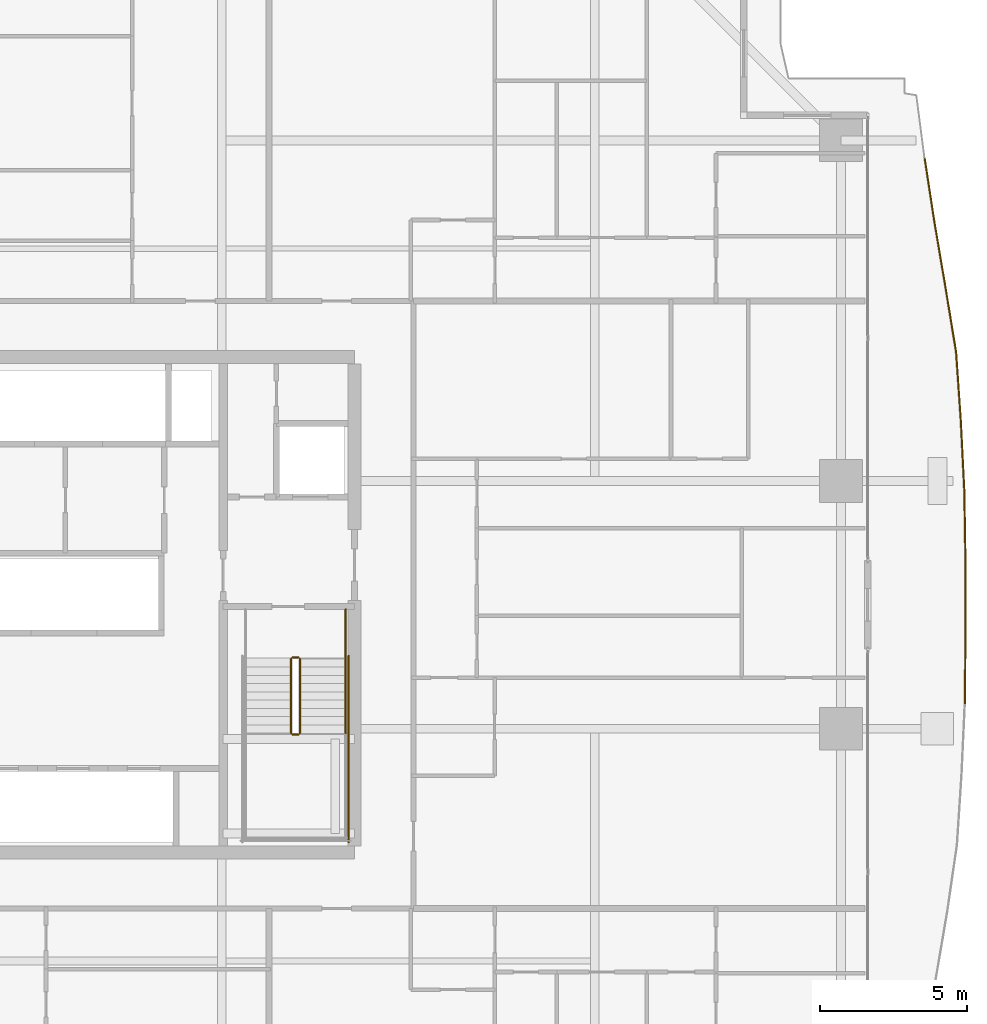
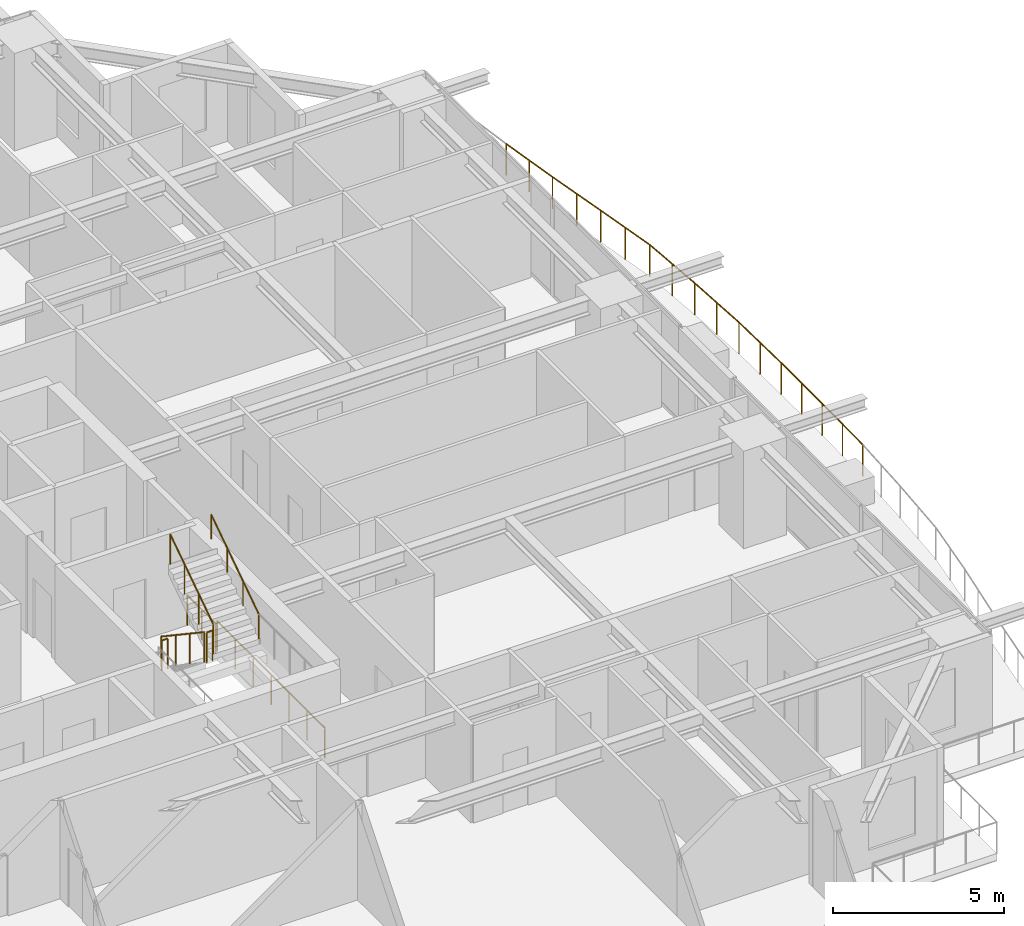
# One storey, part 36 of 37: 8 railings.
"""IFC4 building model written with IfcOpenShell, lengths in metres."""

from ifc_helpers import new_model, si_unit, direction, frame, origin, origin_2d, place, context, subcontext, project, spatial, circle, extrude, material, type_object, element, save


model = new_model("IFC4")

# Units and contexts
model_context = context("Model", 3, precision=1e-05, world=origin(), true_north=direction((0.0, 1.0)))
body_context = subcontext(model_context, "Body", "Model", "MODEL_VIEW")
ifc_project = project(units=[si_unit("LENGTHUNIT", "METRE"), si_unit("AREAUNIT", "SQUARE_METRE"), si_unit("VOLUMEUNIT", "CUBIC_METRE"), si_unit("PLANEANGLEUNIT", "RADIAN"), si_unit("MASSUNIT", "GRAM", prefix="KILO")], contexts=[model_context])

# Site, building, storey
site_placement = place(None, origin())
site = spatial("IfcSite", under=ifc_project, at=site_placement, CompositionType="ELEMENT")
building_placement = place(site_placement, origin())
building = spatial("IfcBuilding", under=site, at=building_placement, Name="Serunith Strait Residences", CompositionType="ELEMENT")
storey_placement = place(building_placement, frame((0.0, 0.0, 34.199951171875)))
storey = spatial("IfcBuildingStorey", under=building, at=storey_placement, Name="L07", CompositionType="ELEMENT", Elevation=34.199951171875)

# Railings
ifc_material_1 = material(Name="Stainless Steel & Laminated Glass Balustrade", Category="steel")
railing_type_1 = type_object("IfcRailingType", Name="RLG-BALC-1150", PredefinedType="BALUSTRADE", material=ifc_material_1)
railing_1_placement = place(storey_placement, frame((60.734375, 40.360107421875, -0.050048828125)))
element("IfcRailing", 1, at=railing_1_placement, inside=storey, type_object=railing_type_1, Name="L07 Swirling Balcony Perimeter Balustrade 5", PredefinedType="BALUSTRADE", context=body_context, shape_type="SweptSolid", body=[
    extrude(circle(Radius=0.02392578125, at=origin_2d()), frame((0.000244140625, -0.001953125, 1.1259765625), z_axis=(0.151129021549, -0.988514045851, 0.0), x_axis=(0.988514045851, 0.151129021549, 0.0)), (0.0, 0.0, 1.0), 2.17041015625),
    extrude(circle(Radius=0.02392578125, at=origin_2d()), frame((0.328857421875, -2.1513671875, 1.1259765625), z_axis=(0.166718403381, -0.986004550686, 0.0), x_axis=(0.986004550686, 0.166718403381, 0.0)), (0.0, 0.0, 1.0), 2.214599609375),
    extrude(circle(Radius=0.02392578125, at=origin_2d()), frame((0.69873046875, -4.3388671875, 1.1259765625), z_axis=(0.162069347028, -0.98677937086, 0.0), x_axis=(0.98677937086, 0.162069347028, 0.0)), (0.0, 0.0, 1.0), 2.273681640625),
    extrude(circle(Radius=0.02392578125, at=origin_2d()), frame((1.06787109375, -6.58642578125, 1.1259765625), z_axis=(0.068368362206, -0.997660146066, 0.0), x_axis=(0.997660146066, 0.068368362206, 0.0)), (0.0, 0.0, 1.0), 2.352783203125),
    extrude(circle(Radius=0.02392578125, at=origin_2d()), frame((1.228759765625, -8.937744140625, 1.1259765625), z_axis=(0.050141765794, -0.998742110519, 0.0), x_axis=(0.998742110519, 0.050141765794, 0.0)), (0.0, 0.0, 1.0), 2.3818359375),
    extrude(circle(Radius=0.02392578125, at=origin_2d()), frame((1.348388671875, -11.320556640625, 1.1259765625), z_axis=(0.015531121409, -0.99987938486, 0.0), x_axis=(0.99987938486, 0.015531121409, 0.0)), (0.0, 0.0, 1.0), 2.401123046875),
    extrude(circle(Radius=0.02392578125, at=origin_2d()), frame((1.3857421875, -13.725341796875, 1.1259765625), z_axis=(0.0, -1.0, 0.0), x_axis=(1.0, 0.0, 0.0)), (0.0, 0.0, 1.0), 2.40966796875),
    extrude(circle(Radius=0.02392578125, at=origin_2d()), frame((1.3857421875, -16.138916015625, 1.1259765625), z_axis=(-0.008518096796, -0.999963720355, 0.0), x_axis=(0.999963720355, -0.008518096796, 0.0)), (0.0, 0.0, 1.0), 2.403564453125),
    extrude(circle(Radius=0.02099609375, at=origin_2d()), origin(), (0.0, 0.0, 1.0), 1.099853515625),
    extrude(circle(Radius=0.02099609375, at=origin_2d()), frame((0.164306640625, -1.07470703125, 0.0)), (0.0, 0.0, 1.0), 1.099853515625),
    extrude(circle(Radius=0.02099609375, at=origin_2d()), frame((0.32861328125, -2.1494140625, 0.0)), (0.0, 0.0, 1.0), 1.099853515625),
    extrude(circle(Radius=0.02099609375, at=origin_2d()), frame((0.513671875, -3.2431640625, 0.0)), (0.0, 0.0, 1.0), 1.099853515625),
    extrude(circle(Radius=0.02099609375, at=origin_2d()), frame((0.698486328125, -4.3369140625, 0.0)), (0.0, 0.0, 1.0), 1.099853515625),
    extrude(circle(Radius=0.02099609375, at=origin_2d()), frame((0.883056640625, -5.460693359375, 0.0)), (0.0, 0.0, 1.0), 1.099853515625),
    extrude(circle(Radius=0.02099609375, at=origin_2d()), frame((1.067626953125, -6.58447265625, 0.0)), (0.0, 0.0, 1.0), 1.099853515625),
    extrude(circle(Radius=0.02099609375, at=origin_2d()), frame((1.148193359375, -7.76025390625, 0.0)), (0.0, 0.0, 1.0), 1.099853515625),
    extrude(circle(Radius=0.02099609375, at=origin_2d()), frame((1.228759765625, -8.935791015625, 0.0)), (0.0, 0.0, 1.0), 1.099853515625),
    extrude(circle(Radius=0.02099609375, at=origin_2d()), frame((1.28857421875, -10.127197265625, 0.0)), (0.0, 0.0, 1.0), 1.099853515625),
    extrude(circle(Radius=0.02099609375, at=origin_2d()), frame((1.348388671875, -11.318603515625, 0.0)), (0.0, 0.0, 1.0), 1.099853515625),
    extrude(circle(Radius=0.02099609375, at=origin_2d()), frame((1.3671875, -12.52099609375, 0.0)), (0.0, 0.0, 1.0), 1.099853515625),
    extrude(circle(Radius=0.02099609375, at=origin_2d()), frame((1.3857421875, -13.723388671875, 0.0)), (0.0, 0.0, 1.0), 1.099853515625),
    extrude(circle(Radius=0.02099609375, at=origin_2d()), frame((1.3857421875, -14.93017578125, 0.0)), (0.0, 0.0, 1.0), 1.099853515625),
    extrude(circle(Radius=0.02099609375, at=origin_2d()), frame((1.3857421875, -16.136962890625, 0.0)), (0.0, 0.0, 1.0), 1.099853515625),
    extrude(circle(Radius=0.02099609375, at=origin_2d()), frame((1.37548828125, -17.3408203125, 0.0)), (0.0, 0.0, 1.0), 1.099853515625),
    extrude(circle(Radius=0.02099609375, at=origin_2d()), frame((1.365234375, -18.54443359375, 0.0)), (0.0, 0.0, 1.0), 1.099853515625),
])
ifc_material_2 = material(Name="Brushed stainless steel 316L", Category="steel")
railing_type_2 = type_object("IfcRailingType", Name="RLG-STAIR-GUARD", PredefinedType="BALUSTRADE", material=ifc_material_2)
railing_2_placement = place(storey_placement, frame((39.25, 23.3701171875, 0.1875)))
element("IfcRailing", 2, at=railing_2_placement, inside=storey, type_object=railing_type_2, Name="L07 ST-2 stair guard 1", PredefinedType="BALUSTRADE", context=body_context, shape_type="SweptSolid", body=[
    extrude(circle(Radius=0.02392578125, at=origin_2d()), frame((0.0, -0.001708984375, 1.0771484375), z_axis=(0.0, -0.830909170722, 0.55640807867), x_axis=(1.0, 0.0, 0.0)), (0.0, 0.0, 1.0), 3.02880859375),
    extrude(circle(Radius=0.02099609375, at=origin_2d()), origin(), (0.0, 0.0, 1.0), 1.050048828125),
    extrude(circle(Radius=0.02099609375, at=origin_2d()), frame((0.0, -0.840087890625, 0.5625)), (0.0, 0.0, 1.0), 1.050048828125),
    extrude(circle(Radius=0.02099609375, at=origin_2d()), frame((0.0, -1.679931640625, 1.125)), (0.0, 0.0, 1.0), 1.050048828125),
    extrude(circle(Radius=0.02099609375, at=origin_2d()), frame((0.0, -2.52001953125, 1.6875)), (0.0, 0.0, 1.0), 1.050048828125),
])
railing_3_placement = place(storey_placement, frame((39.300048828125, 20.800048828125, 1.875)))
element("IfcRailing", 3, at=railing_3_placement, inside=storey, type_object=railing_type_2, Name="L07 ST-2 stair guard 2", PredefinedType="BALUSTRADE", context=body_context, shape_type="SweptSolid", body=[
    extrude(circle(Radius=0.02392578125, at=origin_2d()), frame((0.001953125, 0.0, 1.076171875), z_axis=(1.0, 0.0, 0.0), x_axis=(0.0, 1.0, 0.0)), (0.0, 0.0, 1.0), 0.196044921875),
    extrude(circle(Radius=0.02099609375, at=origin_2d()), origin(), (0.0, 0.0, 1.0), 1.050048828125),
    extrude(circle(Radius=0.02099609375, at=origin_2d()), frame((0.199951171875, 0.0, 0.0)), (0.0, 0.0, 1.0), 1.050048828125),
])
railing_4_placement = place(storey_placement, frame((39.550048828125, 20.85009765625, 2.0625)))
element("IfcRailing", 4, at=railing_4_placement, inside=storey, type_object=railing_type_2, Name="L07 ST-2 stair guard 6", PredefinedType="BALUSTRADE", context=body_context, shape_type="SweptSolid", body=[
    extrude(circle(Radius=0.02392578125, at=origin_2d()), frame((0.0, 0.001708984375, 1.0771484375), z_axis=(0.0, 0.830909170722, 0.55640807867), x_axis=(-1.0, 0.0, 0.0)), (0.0, 0.0, 1.0), 3.02880859375),
    extrude(circle(Radius=0.02099609375, at=origin_2d()), origin(), (0.0, 0.0, 1.0), 1.050048828125),
    extrude(circle(Radius=0.02099609375, at=origin_2d()), frame((0.0, 0.840087890625, 0.5625)), (0.0, 0.0, 1.0), 1.050048828125),
    extrude(circle(Radius=0.02099609375, at=origin_2d()), frame((0.0, 1.679931640625, 1.125)), (0.0, 0.0, 1.0), 1.050048828125),
    extrude(circle(Radius=0.02099609375, at=origin_2d()), frame((0.0, 2.52001953125, 1.6875)), (0.0, 0.0, 1.0), 1.050048828125),
])
railing_5_placement = place(storey_placement, frame((39.300048828125, 23.419921875, 0.0)))
element("IfcRailing", 5, at=railing_5_placement, inside=storey, type_object=railing_type_2, Name="L07 ST-2 stair guard 7", PredefinedType="BALUSTRADE", context=body_context, shape_type="SweptSolid", body=[
    extrude(circle(Radius=0.02392578125, at=origin_2d()), frame((0.001953125, 0.0, 1.076171875), z_axis=(1.0, 0.0, 0.0), x_axis=(0.0, 1.0, 0.0)), (0.0, 0.0, 1.0), 0.196044921875),
    extrude(circle(Radius=0.02099609375, at=origin_2d()), origin(), (0.0, 0.0, 1.0), 1.050048828125),
    extrude(circle(Radius=0.02099609375, at=origin_2d()), frame((0.199951171875, 0.0, 0.0)), (0.0, 0.0, 1.0), 1.050048828125),
])
railing_6_placement = place(storey_placement, frame((41.10009765625, 25.050048828125, 0.0)))
element("IfcRailing", 6, at=railing_6_placement, inside=storey, type_object=railing_type_2, Name="L07 ST-2 stair guard 9", PredefinedType="BALUSTRADE", context=body_context, shape_type="SweptSolid", body=[
    extrude(circle(Radius=0.02392578125, at=origin_2d()), frame((0.0, -0.001953125, 1.076171875), z_axis=(0.0, -1.0, 0.0), x_axis=(1.0, 0.0, 0.0)), (0.0, 0.0, 1.0), 1.676025390625),
    extrude(circle(Radius=0.02099609375, at=origin_2d()), origin(), (0.0, 0.0, 1.0), 1.050048828125),
    extrude(circle(Radius=0.02099609375, at=origin_2d()), frame((0.0, -0.83984375, 0.0)), (0.0, 0.0, 1.0), 1.050048828125),
    extrude(circle(Radius=0.02099609375, at=origin_2d()), frame((0.0, -1.679931640625, 0.0)), (0.0, 0.0, 1.0), 1.050048828125),
])
railing_7_placement = place(storey_placement, frame((41.199951171875, 23.469970703125, 0.0)))
element("IfcRailing", 7, at=railing_7_placement, inside=storey, type_object=railing_type_2, Name="L07 ST-2 stair guard 11", PredefinedType="BALUSTRADE", context=body_context, shape_type="SweptSolid", body=[
    extrude(circle(Radius=0.02392578125, at=origin_2d()), frame((0.0, -0.001953125, 1.076171875), z_axis=(0.0, -1.0, 0.0), x_axis=(1.0, 0.0, 0.0)), (0.0, 0.0, 1.0), 6.316162109375),
    extrude(circle(Radius=0.02099609375, at=origin_2d()), origin(), (0.0, 0.0, 1.0), 1.050048828125),
    extrude(circle(Radius=0.02099609375, at=origin_2d()), frame((0.0, -1.05322265625, 0.0)), (0.0, 0.0, 1.0), 1.050048828125),
    extrude(circle(Radius=0.02099609375, at=origin_2d()), frame((0.0, -2.106689453125, 0.0)), (0.0, 0.0, 1.0), 1.050048828125),
    extrude(circle(Radius=0.02099609375, at=origin_2d()), frame((0.0, -3.16015625, 0.0)), (0.0, 0.0, 1.0), 1.050048828125),
    extrude(circle(Radius=0.02099609375, at=origin_2d()), frame((0.0, -4.21337890625, 0.0)), (0.0, 0.0, 1.0), 1.050048828125),
    extrude(circle(Radius=0.02099609375, at=origin_2d()), frame((0.0, -5.2666015625, 0.0)), (0.0, 0.0, 1.0), 1.050048828125),
    extrude(circle(Radius=0.02099609375, at=origin_2d()), frame((0.0, -6.320068359375, 0.0)), (0.0, 0.0, 1.0), 1.050048828125),
])
railing_type_3 = type_object("IfcRailingType", Name="RLG-STAIR-HR", PredefinedType="HANDRAIL", material=ifc_material_2)
railing_8_placement = place(storey_placement, frame((41.10009765625, 20.85009765625, 2.0625)))
element("IfcRailing", 8, at=railing_8_placement, inside=storey, type_object=railing_type_3, Name="L07 ST-2 stair handrail 2", PredefinedType="HANDRAIL", context=body_context, shape_type="SweptSolid", body=[
    extrude(circle(Radius=0.02392578125, at=origin_2d()), frame((0.0, 0.001708984375, 0.876953125), z_axis=(0.0, 0.830185712471, 0.557486935101), x_axis=(-1.0, 0.0, 0.0)), (0.0, 0.0, 1.0), 3.368408203125),
    extrude(circle(Radius=0.02099609375, at=origin_2d()), origin(), (0.0, 0.0, 1.0), 0.849853515625),
    extrude(circle(Radius=0.02099609375, at=origin_2d()), frame((0.0, 0.933349609375, 0.626708984375)), (0.0, 0.0, 1.0), 0.849853515625),
    extrude(circle(Radius=0.02099609375, at=origin_2d()), frame((0.0, 1.866455078125, 1.25341796875)), (0.0, 0.0, 1.0), 0.849853515625),
    extrude(circle(Radius=0.02099609375, at=origin_2d()), frame((0.0, 2.7998046875, 1.880126953125)), (0.0, 0.0, 1.0), 0.849853515625),
])

save(model, "model.ifc")
